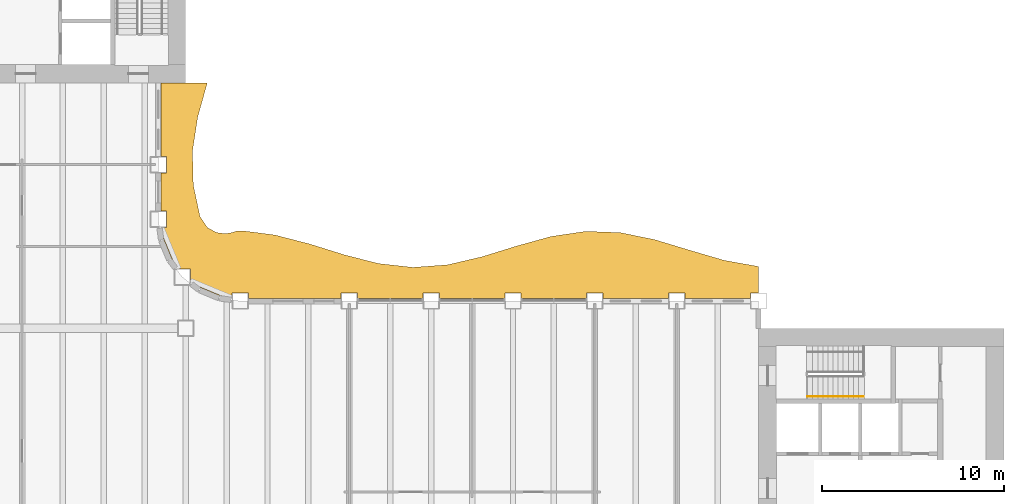
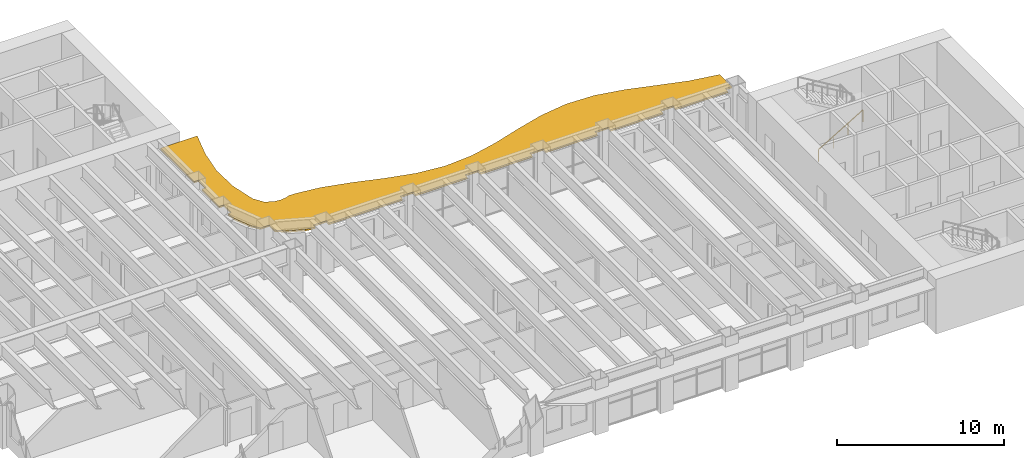
# One storey, part 15 of 17: 1 railing, 1 shading device.
"""IFC4 building model written with IfcOpenShell, lengths in metres."""

from ifc_helpers import new_model, si_unit, direction, frame, origin, origin_2d, place, context, subcontext, project, spatial, polyline, rectangle, outline, extrude, material, layer, layer_set, type_object, element, save


model = new_model("IFC4")

# Units and contexts
model_context = context("Model", 3, precision=1e-05, world=origin(), true_north=direction((0.0, 1.0)))
body_context = subcontext(model_context, "Body", "Model", "MODEL_VIEW")
ifc_project = project(units=[si_unit("LENGTHUNIT", "METRE"), si_unit("AREAUNIT", "SQUARE_METRE"), si_unit("VOLUMEUNIT", "CUBIC_METRE"), si_unit("PLANEANGLEUNIT", "RADIAN"), si_unit("MASSUNIT", "GRAM", prefix="KILO")], contexts=[model_context])

# Site, building, storey
site_placement = place(None, origin())
site = spatial("IfcSite", under=ifc_project, at=site_placement, CompositionType="ELEMENT")
building_placement = place(site_placement, origin())
building = spatial("IfcBuilding", under=site, at=building_placement, Name="Sennacour Bend Tower", CompositionType="ELEMENT")
storey_placement = place(building_placement, frame((0.0, 0.0, 151.0)))
storey = spatial("IfcBuildingStorey", under=building, at=storey_placement, Name="L34", CompositionType="ELEMENT", Elevation=151.0)

# Railing
ifc_material_1 = material(Name="Stainless steel", Category="steel")
railing_type = type_object("IfcRailingType", Name="RL-HANDRAIL-900", PredefinedType="HANDRAIL", material=ifc_material_1)
railing_placement = place(storey_placement, frame((56.699951171875, 18.75, 0.166748046875)))
element("IfcRailing", 1, at=railing_placement, inside=storey, type_object=railing_type, Name="L34 SA2 stair handrail 1", PredefinedType="HANDRAIL", context=body_context, shape_type="SweptSolid", body=[
    extrude(rectangle(XDim=0.048095703125, YDim=0.048095703125, at=origin_2d()), frame((0.0, 0.0, 0.8759765625), z_axis=(0.859308565015, 0.0, 0.511457515432), x_axis=(0.0, 1.0, 0.0)), (0.0, 0.0, 1.0), 3.58447265625),
    extrude(rectangle(XDim=0.0419921875, YDim=0.0419921875, at=origin_2d()), origin(), (0.0, 0.0, 1.0), 0.851806640625),
    extrude(rectangle(XDim=0.0419921875, YDim=0.0419921875, at=origin_2d()), frame((1.026611328125, 0.0, 0.611083984375)), (0.0, 0.0, 1.0), 0.851806640625),
    extrude(rectangle(XDim=0.0419921875, YDim=0.0419921875, at=origin_2d()), frame((2.053466796875, 0.0, 1.22216796875)), (0.0, 0.0, 1.0), 0.851806640625),
    extrude(rectangle(XDim=0.0419921875, YDim=0.0419921875, at=origin_2d()), frame((3.080078125, 0.0, 1.833251953125)), (0.0, 0.0, 1.0), 0.851806640625),
])

# Shading device
ifc_material_2 = material(Name="Bronze anodised aluminium", Category="aluminium")
ifc_layer = layer(ifc_material_2, 0.1201171875, Name="Bronze anodised aluminium", Category="aluminium")
ifc_layer_set = layer_set([ifc_layer], Name="Bronze anodised aluminium")
shading_device_type = type_object("IfcShadingDeviceType", Name="SUNSHADE BAND WAVE", PredefinedType="USERDEFINED", material=ifc_layer_set)
shading_device_placement = place(storey_placement, frame((0.0, 0.0, 3.029052734375)))
element("IfcShadingDevice", 2, at=shading_device_placement, inside=storey, type_object=shading_device_type, Name="Sunshade band L34 concave faces", ObjectType="SUNSHADE", PredefinedType="USERDEFINED", context=body_context, shape_type="SweptSolid", body=[
    extrude(outline(polyline([(53.550048828125, 24.14990234375), (49.949951171875, 24.14990234375), (49.949951171875, 24.449951171875), (49.050048828125, 24.449951171875), (49.050048828125, 24.14990234375), (45.449951171875, 24.14990234375), (45.449951171875, 24.449951171875), (44.550048828125, 24.449951171875), (44.550048828125, 24.14990234375), (40.949951171875, 24.14990234375), (40.949951171875, 24.449951171875), (40.050048828125, 24.449951171875), (40.050048828125, 24.14990234375), (36.449951171875, 24.14990234375), (36.449951171875, 24.449951171875), (35.550048828125, 24.449951171875), (35.550048828125, 24.14990234375), (31.949951171875, 24.14990234375), (31.949951171875, 24.449951171875), (31.050048828125, 24.449951171875), (31.050048828125, 24.14990234375), (25.949951171875, 24.14990234375), (25.949951171875, 24.449951171875), (25.050048828125, 24.449951171875), (25.050048828125, 24.21044921875), (24.37451171875, 24.299560546875), (23.32568359375, 24.73388671875), (22.76806640625, 25.16162109375), (22.76806640625, 25.76806640625), (22.16162109375, 25.76806640625), (21.73388671875, 26.32568359375), (21.299560546875, 27.37451171875), (21.21044921875, 28.050048828125), (21.449951171875, 28.050048828125), (21.449951171875, 28.949951171875), (21.14990234375, 28.949951171875), (21.14990234375, 31.050048828125), (21.449951171875, 31.050048828125), (21.449951171875, 31.949951171875), (21.14990234375, 31.949951171875), (21.14990234375, 36.0), (23.6884765625, 36.0), (23.1630859375, 34.125), (22.873779296875, 32.25), (22.920166015625, 30.375), (23.285888671875, 28.64990234375), (23.711181640625, 28.020751953125), (24.2197265625, 27.7607421875), (24.70458984375, 27.70458984375), (25.079833984375, 27.772216796875), (25.328125, 27.85888671875), (25.752197265625, 27.847900390625), (27.39990234375, 27.634033203125), (29.300048828125, 27.143798828125), (31.199951171875, 26.550048828125), (33.10009765625, 26.06201171875), (35.0, 25.851806640625), (36.89990234375, 25.99365234375), (38.800048828125, 26.4375), (40.699951171875, 27.02685546875), (42.60009765625, 27.5537109375), (44.5, 27.83251953125), (46.39990234375, 27.764892578125), (48.300048828125, 27.37451171875), (50.199951171875, 26.79931640625), (52.10009765625, 26.241943359375), (54.0, 25.89892578125), (54.0, 24.449951171875), (53.550048828125, 24.449951171875), (53.550048828125, 24.14990234375)])), origin(), (0.0, 0.0, 1.0), 0.119873046875),
])

save(model, "model.ifc")
